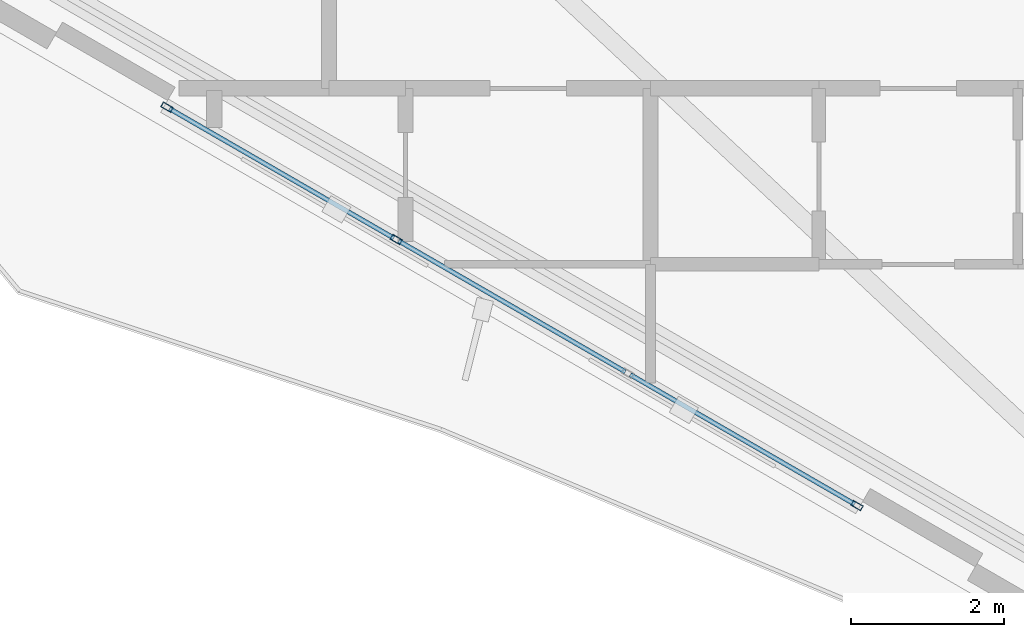
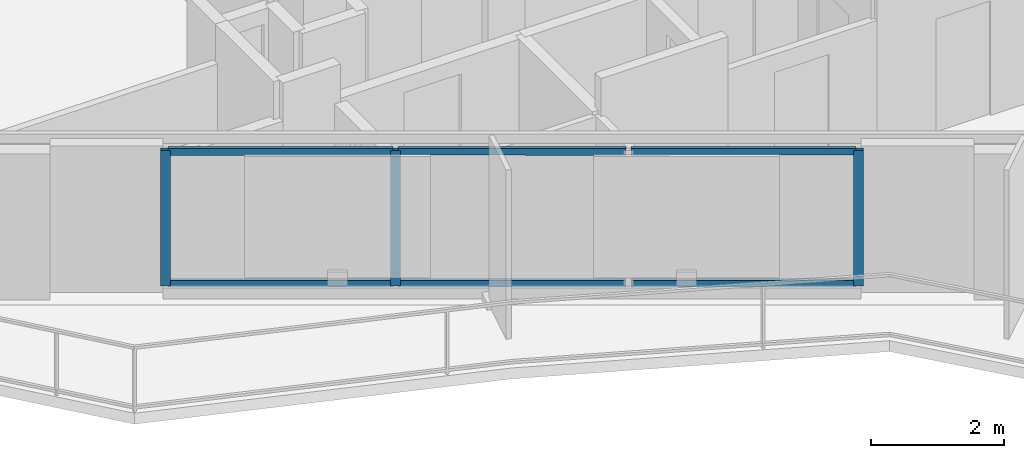
# One storey, part 2 of 18: 9 members, 1 element without a shape of its own.
"""IFC4 building model written with IfcOpenShell, lengths in metres."""

from ifc_helpers import new_model, si_unit, direction, frame, origin, origin_2d, place, context, subcontext, project, spatial, hollow_rectangle, extrude, material, layer, layer_set, material_profile, profile_set, type_object, element, aggregate, save


model = new_model("IFC4")

# Units and contexts
model_context = context("Model", 3, precision=1e-05, world=origin(), true_north=direction((0.0, 1.0)))
body_context = subcontext(model_context, "Body", "Model", "MODEL_VIEW")
ifc_project = project(units=[si_unit("LENGTHUNIT", "METRE"), si_unit("AREAUNIT", "SQUARE_METRE"), si_unit("VOLUMEUNIT", "CUBIC_METRE"), si_unit("PLANEANGLEUNIT", "RADIAN"), si_unit("MASSUNIT", "GRAM", prefix="KILO")], contexts=[model_context])

# Site, building, storey
site_placement = place(None, origin())
site = spatial("IfcSite", under=ifc_project, at=site_placement, CompositionType="ELEMENT")
building_placement = place(site_placement, origin())
building = spatial("IfcBuilding", under=site, at=building_placement, Name="Mersakhor Tower and Convention Hall", CompositionType="ELEMENT")
storey_placement = place(building_placement, frame((0.0, 0.0, 150.89990234375)))
storey = spatial("IfcBuildingStorey", under=building, at=storey_placement, Name="L42", CompositionType="ELEMENT", Elevation=150.89990234375)

# Curtain wall, members
ifc_material_1 = material(Name="Dark solar low-E aluminium curtain wall", Category="aluminium")
ifc_layer = layer(ifc_material_1, 0.169921875)
ifc_layer_set = layer_set([ifc_layer], Name="Dark solar low-E aluminium curtain wall")
curtain_wall_type = type_object("IfcCurtainWallType", Name="CW-SYS-02", PredefinedType="USERDEFINED", material=ifc_layer_set)
curtain_wall_placement = place(storey_placement, origin())
curtain_wall = element("IfcCurtainWall", 1, at=curtain_wall_placement, inside=storey, type_object=curtain_wall_type, Name="L42 Dark-Glass Curtain Wall F3-B2", ObjectType="CURTAIN WALL", PredefinedType="USERDEFINED")
ifc_material_2 = material(Name="Anodised aluminium EN AW-6063 T6", Category="aluminium")
ifc_material_profile_1 = material_profile(ifc_material_2, hollow_rectangle(XDim=0.074951171875, YDim=0.14990234375, WallThickness=0.00634765625, at=origin_2d()), Name="RHS 150x75x6.3")
ifc_profile_set_1 = profile_set([ifc_material_profile_1], Name="Anodised aluminium EN AW-6063 T6")
member_type_1 = type_object("IfcMemberType", Name="CWM-150x75", PredefinedType="MULLION", material=ifc_profile_set_1)
member_1_placement = place(storey_placement, frame((26.8984375, 12.69921875, 0.2001953125), z_axis=(0.0, 0.0, 1.0), x_axis=(-0.499990468363, -0.866030906807, 0.0)))
member_1 = element("IfcMember", 2, at=member_1_placement, type_object=member_type_1, Name="CW-02 mullion 1", PredefinedType="MULLION", context=body_context, shape_type="SweptSolid", body=[
    extrude(hollow_rectangle(XDim=0.074951171875, YDim=0.14990234375, WallThickness=0.00634765625, at=origin_2d()), origin(), (0.0, 0.0, 1.0), 2.47998046875),
])
member_2_placement = place(storey_placement, frame((20.876953125, 16.17578125, 0.2001953125), z_axis=(0.0, 0.0, 1.0), x_axis=(-0.499990468363, -0.866030906807, 0.0)))
member_2 = element("IfcMember", 3, at=member_2_placement, type_object=member_type_1, Name="CW-02 mullion 3", PredefinedType="MULLION", context=body_context, shape_type="SweptSolid", body=[
    extrude(hollow_rectangle(XDim=0.074951171875, YDim=0.14990234375, WallThickness=0.00634765625, at=origin_2d()), origin(), (0.0, 0.0, 1.0), 2.47998046875),
])
member_3_placement = place(storey_placement, frame((17.88232421875, 17.904541015625, 0.2001953125), z_axis=(0.0, 0.0, 1.0), x_axis=(-0.499990468363, -0.866030906807, 0.0)))
member_3 = element("IfcMember", 4, at=member_3_placement, type_object=member_type_1, Name="CW-02 mullion 4", PredefinedType="MULLION", context=body_context, shape_type="SweptSolid", body=[
    extrude(hollow_rectangle(XDim=0.074951171875, YDim=0.14990234375, WallThickness=0.00634765625, at=origin_2d()), origin(), (0.0, 0.0, 1.0), 2.47998046875),
])
ifc_material_3 = material(Name="Anodised aluminium EN AW-6063 T6", Category="aluminium")
ifc_material_profile_2 = material_profile(ifc_material_3, hollow_rectangle(XDim=0.06005859375, YDim=0.1201171875, WallThickness=0.0048828125, at=origin_2d()), Name="RHS 120x60x5")
ifc_profile_set_2 = profile_set([ifc_material_profile_2], Name="Anodised aluminium EN AW-6063 T6")
member_type_2 = type_object("IfcMemberType", Name="CWT-120x60", PredefinedType="USERDEFINED", material=ifc_profile_set_2)
member_4_placement = place(storey_placement, frame((26.865966796875, 12.718017578125, 0.22998046875), z_axis=(-0.866044963944, 0.49996611928, 0.0), x_axis=(-0.49996611928, -0.866044963944, 0.0)))
member_4 = element("IfcMember", 5, at=member_4_placement, type_object=member_type_2, Name="CW-02 transom 1.1", ObjectType="TRANSOM", PredefinedType="USERDEFINED", context=body_context, shape_type="SweptSolid", body=[
    extrude(hollow_rectangle(XDim=0.06005859375, YDim=0.1201171875, WallThickness=0.0048828125, at=origin_2d()), origin(), (0.0, 0.0, 1.0), 3.382568359375),
])
member_5_placement = place(storey_placement, frame((26.865966796875, 12.718017578125, 2.650146484375), z_axis=(-0.866044963944, 0.49996611928, 0.0), x_axis=(-0.49996611928, -0.866044963944, 0.0)))
member_5 = element("IfcMember", 6, at=member_5_placement, type_object=member_type_2, Name="CW-02 transom 1.2", ObjectType="TRANSOM", PredefinedType="USERDEFINED", context=body_context, shape_type="SweptSolid", body=[
    extrude(hollow_rectangle(XDim=0.06005859375, YDim=0.1201171875, WallThickness=0.0048828125, at=origin_2d()), origin(), (0.0, 0.0, 1.0), 3.382568359375),
])
member_6_placement = place(storey_placement, frame((23.871337890625, 14.44677734375, 0.22998046875), z_axis=(-0.866007273829, 0.50003140069, 0.0), x_axis=(-0.50003140069, -0.866007273829, 0.0)))
member_6 = element("IfcMember", 7, at=member_6_placement, type_object=member_type_2, Name="CW-02 transom 2.1", ObjectType="TRANSOM", PredefinedType="USERDEFINED", context=body_context, shape_type="SweptSolid", body=[
    extrude(hollow_rectangle(XDim=0.06005859375, YDim=0.1201171875, WallThickness=0.0048828125, at=origin_2d()), origin(), (0.0, 0.0, 1.0), 3.420166015625),
])
member_7_placement = place(storey_placement, frame((23.871337890625, 14.44677734375, 2.650146484375), z_axis=(-0.866007273829, 0.50003140069, 0.0), x_axis=(-0.50003140069, -0.866007273829, 0.0)))
member_7 = element("IfcMember", 8, at=member_7_placement, type_object=member_type_2, Name="CW-02 transom 2.2", ObjectType="TRANSOM", PredefinedType="USERDEFINED", context=body_context, shape_type="SweptSolid", body=[
    extrude(hollow_rectangle(XDim=0.06005859375, YDim=0.1201171875, WallThickness=0.0048828125, at=origin_2d()), origin(), (0.0, 0.0, 1.0), 3.420166015625),
])
member_8_placement = place(storey_placement, frame((20.844482421875, 16.1943359375, 0.22998046875), z_axis=(-0.866031754707, 0.499988999718, 0.0), x_axis=(-0.499988999718, -0.866031754707, 0.0)))
member_8 = element("IfcMember", 9, at=member_8_placement, type_object=member_type_2, Name="CW-02 transom 3.1", ObjectType="TRANSOM", PredefinedType="USERDEFINED", context=body_context, shape_type="SweptSolid", body=[
    extrude(hollow_rectangle(XDim=0.06005859375, YDim=0.1201171875, WallThickness=0.0048828125, at=origin_2d()), origin(), (0.0, 0.0, 1.0), 3.3828125),
])
member_9_placement = place(storey_placement, frame((20.844482421875, 16.1943359375, 2.650146484375), z_axis=(-0.866031754707, 0.499988999718, 0.0), x_axis=(-0.499988999718, -0.866031754707, 0.0)))
member_9 = element("IfcMember", 10, at=member_9_placement, type_object=member_type_2, Name="CW-02 transom 3.2", ObjectType="TRANSOM", PredefinedType="USERDEFINED", context=body_context, shape_type="SweptSolid", body=[
    extrude(hollow_rectangle(XDim=0.06005859375, YDim=0.1201171875, WallThickness=0.0048828125, at=origin_2d()), origin(), (0.0, 0.0, 1.0), 3.3828125),
])
aggregate(curtain_wall, [member_1, member_2, member_3, member_4, member_5, member_6, member_7, member_8, member_9])

save(model, "model.ifc")
